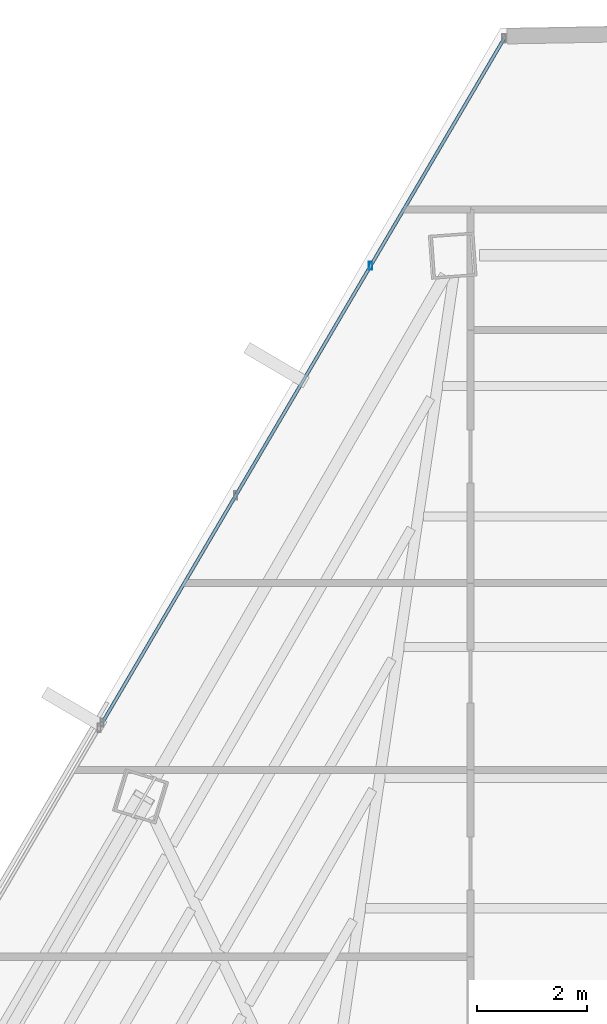
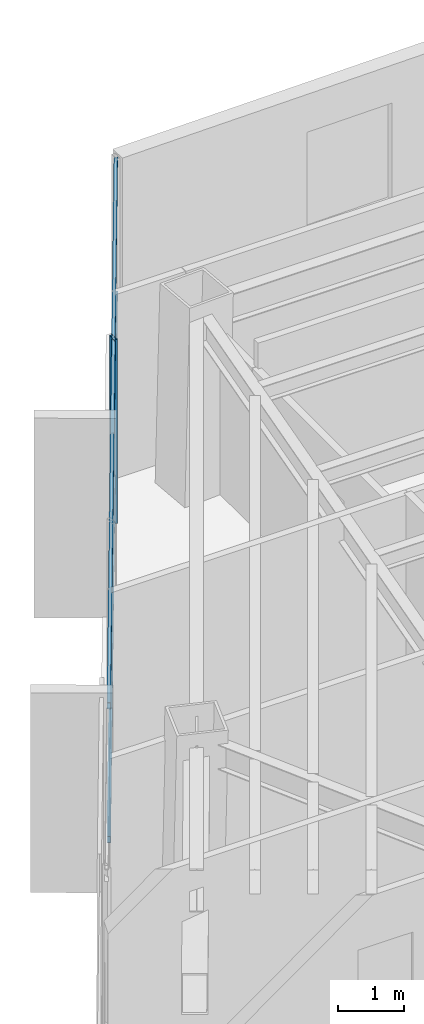
# One storey, part 29 of 42: 3 members, 1 element without a shape of its own.
"""IFC4 building model written with IfcOpenShell, lengths in metres."""

from ifc_helpers import new_model, si_unit, direction, frame, origin, origin_2d, place, context, subcontext, project, spatial, hollow_rectangle, extrude, source, transform, mapped, material, material_profile, profile_set, type_object, type_shapes, element, aggregate, save


model = new_model("IFC4")

# Units and contexts
model_context = context("Model", 3, precision=1e-05, world=origin(), true_north=direction((0.0, 1.0)))
body_context = subcontext(model_context, "Body", "Model", "MODEL_VIEW")
ifc_project = project(units=[si_unit("LENGTHUNIT", "METRE"), si_unit("AREAUNIT", "SQUARE_METRE"), si_unit("VOLUMEUNIT", "CUBIC_METRE"), si_unit("PLANEANGLEUNIT", "RADIAN"), si_unit("MASSUNIT", "GRAM", prefix="KILO")], contexts=[model_context])

# Site, building, storey
site_placement = place(None, origin())
site = spatial("IfcSite", under=ifc_project, at=site_placement, CompositionType="ELEMENT")
building_placement = place(site_placement, origin())
building = spatial("IfcBuilding", under=site, at=building_placement, Name="Caelisora Broadcast Tower", CompositionType="ELEMENT")
storey_placement = place(building_placement, frame((0.0, 0.0, 202.300048828125)))
storey = spatial("IfcBuildingStorey", under=building, at=storey_placement, Name="L53", CompositionType="ELEMENT", Elevation=202.300048828125)

# Curtain wall, members
ifc_material_1 = material(Name="Unitised Aluminium and Low-E Glass Curtain Wall", Category="glass")
curtain_wall_type = type_object("IfcCurtainWallType", Name="CW-Z4", PredefinedType="NOTDEFINED", material=ifc_material_1)
curtain_wall_placement = place(storey_placement, origin())
curtain_wall = element("IfcCurtainWall", 1, at=curtain_wall_placement, inside=storey, type_object=curtain_wall_type, Name="L53 curtain wall CW-Z4", PredefinedType="NOTDEFINED")
ifc_material_2 = material(Name="Aluminium 6063-T6 Anodised Terracotta Bronze", Category="aluminium")
ifc_material_profile_1 = material_profile(ifc_material_2, hollow_rectangle(XDim=0.06005859375, YDim=0.14990234375, WallThickness=0.00341796875, at=origin_2d()), Name="Aluminium 6063-T6 Anodised Terracotta Bronze")
ifc_profile_set_1 = profile_set([ifc_material_profile_1], Name="Aluminium 6063-T6 Anodised Terracotta Bronze")
member_type_1 = type_object("IfcMemberType", Name="CWM-03", PredefinedType="MULLION", material=ifc_profile_set_1)
shared_shape_1 = source(origin(), body_context, "Body", "SweptSolid", [
    extrude(hollow_rectangle(XDim=0.06005859375, YDim=0.14990234375, WallThickness=0.00341796875, at=origin_2d()), origin(), (0.0, 0.0, 1.0), 3.39990234375),
])
type_shapes(member_type_1, [shared_shape_1])
member_1_placement = place(storey_placement, frame((31.38623046875, 46.396728515625, 0.0), z_axis=(0.0, 0.0, 1.0), x_axis=(1.0, 0.0, 0.0)))
member_1 = element("IfcMember", 2, at=member_1_placement, type_object=member_type_1, Name="L53-CW-B11 mullion #2", PredefinedType="MULLION", context=body_context, shape_type="MappedRepresentation", body=[
    mapped(shared_shape_1, transform((0.0, 0.0, 0.0), scale=1.0)),
])
ifc_material_profile_2 = material_profile(ifc_material_2, hollow_rectangle(XDim=0.06005859375, YDim=0.1201171875, WallThickness=0.0029296875, at=origin_2d()), Name="Aluminium 6063-T6 Anodised Terracotta Bronze")
ifc_profile_set_2 = profile_set([ifc_material_profile_2], Name="Aluminium 6063-T6 Anodised Terracotta Bronze")
member_type_2 = type_object("IfcMemberType", Name="CWT-03", PredefinedType="USERDEFINED", material=ifc_profile_set_2)
shared_shape_2 = source(origin(), body_context, "Body", "SweptSolid", [
    extrude(hollow_rectangle(XDim=0.06005859375, YDim=0.1201171875, WallThickness=0.0029296875, at=origin_2d()), origin(), (0.0, 0.0, 1.0), 14.39501953125),
])
type_shapes(member_type_2, [shared_shape_2])
member_2_placement = place(storey_placement, frame((26.517822265625, 38.107177734375, 0.849853515625), z_axis=(0.506407042349, 0.862294559568, 0.0), x_axis=(-0.862294559568, 0.506407042349, 0.0)))
member_2 = element("IfcMember", 3, at=member_2_placement, type_object=member_type_2, Name="L53-CW-B11 transom #1", ObjectType="TRANSOM", PredefinedType="USERDEFINED", context=body_context, shape_type="MappedRepresentation", body=[
    mapped(shared_shape_2, transform((0.0, 0.0, 0.0), scale=1.0)),
])
member_3_placement = place(storey_placement, frame((26.517822265625, 38.107177734375, 3.320068359375), z_axis=(0.506407042349, 0.862294559568, 0.0), x_axis=(-0.862294559568, 0.506407042349, 0.0)))
member_3 = element("IfcMember", 4, at=member_3_placement, type_object=member_type_2, Name="L53-CW-B11 transom #2", ObjectType="TRANSOM", PredefinedType="USERDEFINED", context=body_context, shape_type="MappedRepresentation", body=[
    mapped(shared_shape_2, transform((0.0, 0.0, 0.0), scale=1.0)),
])
aggregate(curtain_wall, [member_1, member_2, member_3])

save(model, "model.ifc")
